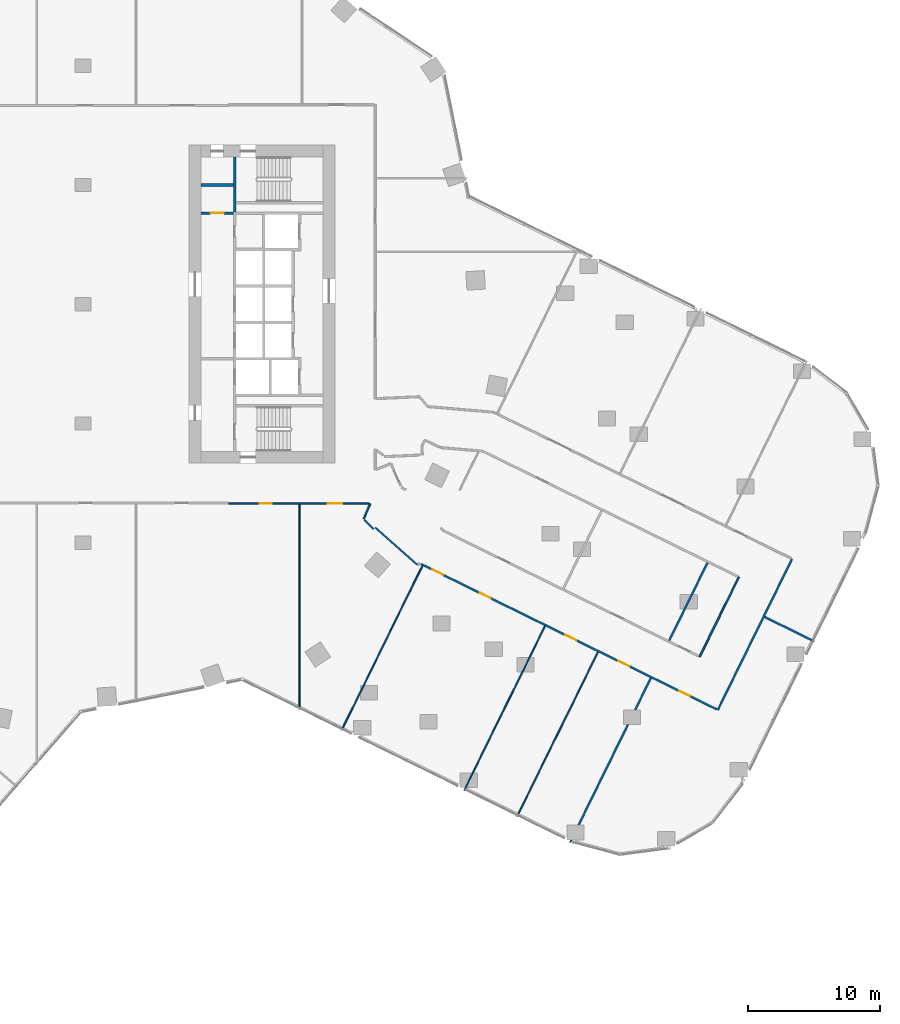
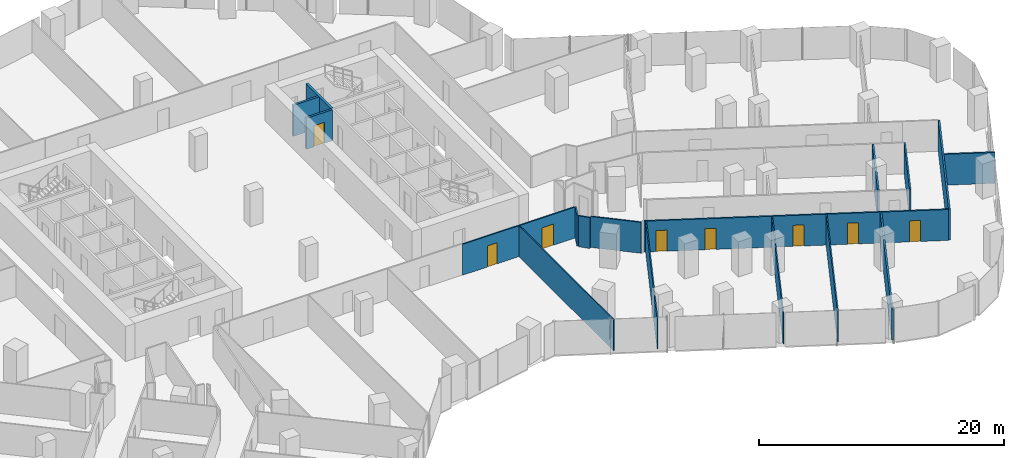
# One storey, part 29 of 38: 17 walls, 8 doors, 8 openings.
"""IFC4 building model written with IfcOpenShell, lengths in metres."""

from ifc_helpers import new_model, si_unit, direction, frame, frame_2d, origin, place, context, subcontext, project, spatial, rectangle, extrude, material, layer, layer_set, type_object, element, fill, save


model = new_model("IFC4")

# Units and contexts
model_context = context("Model", 3, precision=1e-05, world=origin(), true_north=direction((0.0, 1.0)))
body_context = subcontext(model_context, "Body", "Model", "MODEL_VIEW")
ifc_project = project(units=[si_unit("LENGTHUNIT", "METRE"), si_unit("AREAUNIT", "SQUARE_METRE"), si_unit("VOLUMEUNIT", "CUBIC_METRE"), si_unit("PLANEANGLEUNIT", "RADIAN"), si_unit("MASSUNIT", "GRAM", prefix="KILO")], contexts=[model_context])

# Site, building, storey
site_placement = place(None, origin())
site = spatial("IfcSite", under=ifc_project, at=site_placement, CompositionType="ELEMENT")
building_placement = place(site_placement, origin())
building = spatial("IfcBuilding", under=site, at=building_placement, Name="Orlundy Tower", CompositionType="ELEMENT")
storey_placement = place(building_placement, frame((0.0, 0.0, 62.300048828125)))
storey = spatial("IfcBuildingStorey", under=building, at=storey_placement, Name="L14", CompositionType="ELEMENT", Elevation=62.300048828125)

# Walls
ifc_material_1 = material(Name="Gypsum board partition")
ifc_layer_1 = layer(ifc_material_1, 0.10009765625)
ifc_layer_set_1 = layer_set([ifc_layer_1], Name="Floor partition 100")
wall_type_1 = type_object("IfcWallType", Name="Floor partition 100", PredefinedType="PARTITIONING", material=ifc_layer_set_1)
for number, where, z_axis, x_axis, name in (
    (1, (32.760009765625, -38.657958984375, 0.0), (0.0, 0.0, 1.0), (0.440979010965, 0.897517415925, 0.0), "wall-int-L14-070"),
    (2, (28.76611328125, -36.695068359375, 0.0), (0.0, 0.0, 1.0), (0.440979010965, 0.897517415925, 0.0), "wall-int-L14-071"),
):
    element("IfcWall", number, at=place(storey_placement, frame(where, z_axis=z_axis, x_axis=x_axis)), inside=storey, type_object=wall_type_1, Name=name, PredefinedType="PARTITIONING", context=body_context, shape_type="SweptSolid", body=[
        extrude(rectangle(XDim=13.82373046875, YDim=0.10009765625, at=frame_2d((6.911865234375, 0.0))), origin(), (0.0, 0.0, 1.0), 3.079833984375),
    ])
wall_1_placement = place(storey_placement, frame((19.51611328125, -32.15087890625, 0.0), z_axis=(0.0, 0.0, 1.0), x_axis=(0.44089414512, 0.897559108248, 0.0)))
element("IfcWall", 3, at=wall_1_placement, inside=storey, type_object=wall_type_1, Name="wall-int-L14-074", PredefinedType="PARTITIONING", context=body_context, shape_type="SweptSolid", body=[
    extrude(rectangle(XDim=13.82421875, YDim=0.10009765625, at=frame_2d((6.912109375, 0.0))), origin(), (0.0, 0.0, 1.0), 3.079833984375),
])
wall_2_placement = place(storey_placement, frame((16.3310546875, -30.5859375, 0.0), z_axis=(0.0, 0.0, 1.0), x_axis=(0.0, 1.0, 0.0)))
element("IfcWall", 4, at=wall_2_placement, inside=storey, type_object=wall_type_1, Name="wall-int-L14-089", PredefinedType="PARTITIONING", context=body_context, shape_type="SweptSolid", body=[
    extrude(rectangle(XDim=15.471923828125, YDim=0.10009765625, at=frame_2d((7.73583984375, 0.0))), origin(), (0.0, 0.0, 1.0), 3.079833984375),
])
ifc_material_2 = material(Name="Gypsum board partition, double layer")
ifc_layer_2 = layer(ifc_material_2, 0.125)
ifc_layer_set_2 = layer_set([ifc_layer_2], Name="Floor partition 125")
wall_type_2 = type_object("IfcWallType", Name="Floor partition 125", PredefinedType="PARTITIONING", material=ifc_layer_set_2)
wall_3_placement = place(storey_placement, frame((21.243896484375, -16.282958984375, 0.0), z_axis=(0.0, 0.0, 1.0), x_axis=(0.697348059019, -0.716732645121, 0.0)))
element("IfcWall", 5, at=wall_3_placement, inside=storey, type_object=wall_type_2, Name="wall-int-L14-006", PredefinedType="PARTITIONING", context=body_context, shape_type="SweptSolid", body=[
    extrude(rectangle(XDim=0.982421875, YDim=0.125, at=frame_2d((0.4912109375, 0.0))), origin(), (0.0, 0.0, 1.0), 3.079833984375),
])
wall_4_placement = place(storey_placement, frame((22.048095703125, -16.85400390625, 0.0), z_axis=(0.0, 0.0, 1.0), x_axis=(0.748412780797, -0.663233224092, 0.0)))
element("IfcWall", 6, at=wall_4_placement, inside=storey, type_object=wall_type_2, Name="wall-int-L14-007", PredefinedType="PARTITIONING", context=body_context, shape_type="SweptSolid", body=[
    extrude(rectangle(XDim=4.224853515625, YDim=0.125, at=frame_2d((2.1123046875, 0.0))), origin(), (0.0, 0.0, 1.0), 3.079833984375),
])

# Wall, openings, doors
wall_5_placement = place(storey_placement, frame((21.575927734375, -15.051025390625, 0.0), z_axis=(0.0, 0.0, 1.0), x_axis=(-1.0, 0.0, 0.0)))
wall_5 = element("IfcWall", 7, at=wall_5_placement, inside=storey, type_object=wall_type_2, Name="wall-int-L14-043", PredefinedType="PARTITIONING", context=body_context, shape_type="SweptSolid", body=[
    extrude(rectangle(XDim=10.5849609375, YDim=0.125, at=frame_2d((5.29248046875, 0.0))), origin(), (0.0, 0.0, 1.0), 3.079833984375),
])
opening_1_placement = place(wall_5_placement, frame((7.3447265625, 0.0, 0.0)))
opening_1 = element("IfcOpeningElement", 8, at=opening_1_placement, cuts=wall_5, Name="Opening 13130", PredefinedType="OPENING", context=body_context, shape_type="SweptSolid", body=[
    extrude(rectangle(XDim=0.89990234375, YDim=2.10009765625, at=frame_2d((0.449951171875, 1.050048828125))), frame((0.0, 0.072509765625, 0.0), z_axis=(0.0, -1.0, 0.0), x_axis=(1.0, 0.0, 0.0)), (0.0, 0.0, 1.0), 0.14501953125),
])
opening_2_placement = place(wall_5_placement, frame((2.005859375, 0.0, 0.0)))
opening_2 = element("IfcOpeningElement", 9, at=opening_2_placement, cuts=wall_5, Name="Opening 13131", PredefinedType="OPENING", context=body_context, shape_type="SweptSolid", body=[
    extrude(rectangle(XDim=1.10009765625, YDim=2.10009765625, at=frame_2d((0.550048828125, 1.050048828125))), frame((0.0, 0.072509765625, 0.0), z_axis=(0.0, -1.0, 0.0), x_axis=(1.0, 0.0, 0.0)), (0.0, 0.0, 1.0), 0.14501953125),
])
ifc_material_3 = material(Name="Timber door leaf", Category="wood")
door_type_1 = type_object("IfcDoorType", Name="Floor door single 900 FD30S", OperationType="NOTDEFINED", PredefinedType="DOOR", material=ifc_material_3)
door_1_placement = place(opening_1_placement, origin())
door_1 = element("IfcDoor", 10, at=door_1_placement, inside=storey, type_object=door_type_1, Name="Door 13130", OperationType="SINGLE_SWING_RIGHT", OverallHeight=2.10009765625, OverallWidth=0.89990234375, PredefinedType="DOOR", context=body_context, shape_type="SweptSolid", body=[
    extrude(rectangle(XDim=0.89990234375, YDim=2.10009765625, at=frame_2d((0.449951171875, 1.050048828125))), frame((0.0, 0.02490234375, 0.0), z_axis=(0.0, -1.0, 0.0), x_axis=(1.0, 0.0, 0.0)), (0.0, 0.0, 1.0), 0.050048828125),
])
fill(opening_1, door_1)
ifc_material_4 = material(Name="Timber door leaf", Category="wood")
door_type_2 = type_object("IfcDoorType", Name="Floor door xwide 1100 FD30S", OperationType="NOTDEFINED", PredefinedType="DOOR", material=ifc_material_4)
door_2_placement = place(opening_2_placement, origin())
door_2 = element("IfcDoor", 11, at=door_2_placement, inside=storey, type_object=door_type_2, Name="Door 13131", OperationType="SINGLE_SWING_LEFT", OverallHeight=2.10009765625, OverallWidth=1.10009765625, PredefinedType="DOOR", context=body_context, shape_type="SweptSolid", body=[
    extrude(rectangle(XDim=1.10009765625, YDim=2.10009765625, at=frame_2d((0.550048828125, 1.050048828125))), frame((0.0, 0.02490234375, 0.0), z_axis=(0.0, -1.0, 0.0), x_axis=(1.0, 0.0, 0.0)), (0.0, 0.0, 1.0), 0.050048828125),
])
fill(opening_2, door_2)

# Walls
wall_6_placement = place(storey_placement, frame((46.5390625, -26.59912109375, 0.0), z_axis=(0.0, 0.0, 1.0), x_axis=(0.441022842823, 0.897495878603, 0.0)))
element("IfcWall", 12, at=wall_6_placement, inside=storey, type_object=wall_type_2, Name="wall-int-L14-066", PredefinedType="PARTITIONING", context=body_context, shape_type="SweptSolid", body=[
    extrude(rectangle(XDim=6.699951171875, YDim=0.125, at=frame_2d((3.35009765625, 0.0))), origin(), (0.0, 0.0, 1.0), 3.079833984375),
])
wall_7_placement = place(storey_placement, frame((21.18505859375, -16.2060546875, 0.0), z_axis=(0.0, 0.0, 1.0), x_axis=(0.388601478259, 0.921405931767, 0.0)))
element("IfcWall", 13, at=wall_7_placement, inside=storey, type_object=wall_type_2, Name="wall-int-L14-079", PredefinedType="PARTITIONING", context=body_context, shape_type="SweptSolid", body=[
    extrude(rectangle(XDim=1.24267578125, YDim=0.125, at=frame_2d((0.621337890625, 0.0))), origin(), (0.0, 0.0, 1.0), 3.079833984375),
])

# Wall, openings, doors
ifc_material_5 = material(Name="Blockwork shaft wall", Category="masonry")
ifc_layer_3 = layer(ifc_material_5, 0.14990234375)
ifc_layer_set_3 = layer_set([ifc_layer_3], Name="Floor shaft wall 150")
wall_type_3 = type_object("IfcWallType", Name="Floor shaft wall 150", PredefinedType="PARTITIONING", material=ifc_layer_set_3)
wall_8_placement = place(storey_placement, frame((47.840087890625, -30.5830078125, 0.0), z_axis=(0.0, 0.0, 1.0), x_axis=(-0.897499432015, 0.441015611439, 0.0)))
wall_8 = element("IfcWall", 14, at=wall_8_placement, inside=storey, type_object=wall_type_3, Name="wall-int-L14-024", PredefinedType="PARTITIONING", context=body_context, shape_type="SweptSolid", body=[
    extrude(rectangle(XDim=24.890380859375, YDim=0.14990234375, at=frame_2d((12.4453125, 0.0))), origin(), (0.0, 0.0, 1.0), 3.079833984375),
])
opening_3_placement = place(wall_8_placement, frame((2.2744140625, 0.0, 0.0)))
opening_3 = element("IfcOpeningElement", 15, at=opening_3_placement, cuts=wall_8, Name="Opening 13107", PredefinedType="OPENING", context=body_context, shape_type="SweptSolid", body=[
    extrude(rectangle(XDim=0.89990234375, YDim=2.10009765625, at=frame_2d((0.449951171875, 1.050048828125))), frame((0.0, 0.0849609375, 0.0), z_axis=(0.0, -1.0, 0.0), x_axis=(1.0, 0.0, 0.0)), (0.0, 0.0, 1.0), 0.169921875),
])
opening_4_placement = place(wall_8_placement, frame((23.024169921875, 0.0, 0.0)))
opening_4 = element("IfcOpeningElement", 16, at=opening_4_placement, cuts=wall_8, Name="Opening 13108", PredefinedType="OPENING", context=body_context, shape_type="SweptSolid", body=[
    extrude(rectangle(XDim=0.89990234375, YDim=2.10009765625, at=frame_2d((0.449951171875, 1.050048828125))), frame((0.0, 0.0849609375, 0.0), z_axis=(0.0, -1.0, 0.0), x_axis=(1.0, 0.0, 0.0)), (0.0, 0.0, 1.0), 0.169921875),
])
opening_5_placement = place(wall_8_placement, frame((19.024169921875, 0.0, 0.0)))
opening_5 = element("IfcOpeningElement", 17, at=opening_5_placement, cuts=wall_8, Name="Opening 13109", PredefinedType="OPENING", context=body_context, shape_type="SweptSolid", body=[
    extrude(rectangle(XDim=0.89990234375, YDim=2.10009765625, at=frame_2d((0.449951171875, 1.050048828125))), frame((0.0, 0.0849609375, 0.0), z_axis=(0.0, -1.0, 0.0), x_axis=(1.0, 0.0, 0.0)), (0.0, 0.0, 1.0), 0.169921875),
])
opening_6_placement = place(wall_8_placement, frame((11.823974609375, 0.0, 0.0)))
opening_6 = element("IfcOpeningElement", 18, at=opening_6_placement, cuts=wall_8, Name="Opening 13110", PredefinedType="OPENING", context=body_context, shape_type="SweptSolid", body=[
    extrude(rectangle(XDim=0.89990234375, YDim=2.10009765625, at=frame_2d((0.449951171875, 1.050048828125))), frame((0.0, 0.0849609375, 0.0), z_axis=(0.0, -1.0, 0.0), x_axis=(1.0, 0.0, 0.0)), (0.0, 0.0, 1.0), 0.169921875),
])
opening_7_placement = place(wall_8_placement, frame((7.3740234375, 0.0, 0.0)))
opening_7 = element("IfcOpeningElement", 19, at=opening_7_placement, cuts=wall_8, Name="Opening 13111", PredefinedType="OPENING", context=body_context, shape_type="SweptSolid", body=[
    extrude(rectangle(XDim=0.89990234375, YDim=2.10009765625, at=frame_2d((0.449951171875, 1.050048828125))), frame((0.0, 0.0849609375, 0.0), z_axis=(0.0, -1.0, 0.0), x_axis=(1.0, 0.0, 0.0)), (0.0, 0.0, 1.0), 0.169921875),
])
ifc_material_6 = material(Name="Timber door leaf", Category="wood")
door_type_3 = type_object("IfcDoorType", Name="Floor door single 900 FD60", OperationType="NOTDEFINED", PredefinedType="DOOR", material=ifc_material_6)
door_3_placement = place(opening_3_placement, origin())
door_3 = element("IfcDoor", 20, at=door_3_placement, inside=storey, type_object=door_type_3, Name="Door 13107", OperationType="SINGLE_SWING_LEFT", OverallHeight=2.10009765625, OverallWidth=0.89990234375, PredefinedType="DOOR", context=body_context, shape_type="SweptSolid", body=[
    extrude(rectangle(XDim=0.89990234375, YDim=2.10009765625, at=frame_2d((0.449951171875, 1.050048828125))), frame((0.0, 0.02490234375, 0.0), z_axis=(0.0, -1.0, 0.0), x_axis=(1.0, 0.0, 0.0)), (0.0, 0.0, 1.0), 0.050048828125),
])
fill(opening_3, door_3)
door_4_placement = place(opening_4_placement, origin())
door_4 = element("IfcDoor", 21, at=door_4_placement, inside=storey, type_object=door_type_3, Name="Door 13108", OperationType="SINGLE_SWING_RIGHT", OverallHeight=2.10009765625, OverallWidth=0.89990234375, PredefinedType="DOOR", context=body_context, shape_type="SweptSolid", body=[
    extrude(rectangle(XDim=0.89990234375, YDim=2.10009765625, at=frame_2d((0.449951171875, 1.050048828125))), frame((0.0, 0.02490234375, 0.0), z_axis=(0.0, -1.0, 0.0), x_axis=(1.0, 0.0, 0.0)), (0.0, 0.0, 1.0), 0.050048828125),
])
fill(opening_4, door_4)
door_5_placement = place(opening_5_placement, origin())
door_5 = element("IfcDoor", 22, at=door_5_placement, inside=storey, type_object=door_type_3, Name="Door 13109", OperationType="SINGLE_SWING_RIGHT", OverallHeight=2.10009765625, OverallWidth=0.89990234375, PredefinedType="DOOR", context=body_context, shape_type="SweptSolid", body=[
    extrude(rectangle(XDim=0.89990234375, YDim=2.10009765625, at=frame_2d((0.449951171875, 1.050048828125))), frame((0.0, 0.02490234375, 0.0), z_axis=(0.0, -1.0, 0.0), x_axis=(1.0, 0.0, 0.0)), (0.0, 0.0, 1.0), 0.050048828125),
])
fill(opening_5, door_5)
door_6_placement = place(opening_6_placement, origin())
door_6 = element("IfcDoor", 23, at=door_6_placement, inside=storey, type_object=door_type_3, Name="Door 13110", OperationType="SINGLE_SWING_LEFT", OverallHeight=2.10009765625, OverallWidth=0.89990234375, PredefinedType="DOOR", context=body_context, shape_type="SweptSolid", body=[
    extrude(rectangle(XDim=0.89990234375, YDim=2.10009765625, at=frame_2d((0.449951171875, 1.050048828125))), frame((0.0, 0.02490234375, 0.0), z_axis=(0.0, -1.0, 0.0), x_axis=(1.0, 0.0, 0.0)), (0.0, 0.0, 1.0), 0.050048828125),
])
fill(opening_6, door_6)
door_7_placement = place(opening_7_placement, origin())
door_7 = element("IfcDoor", 24, at=door_7_placement, inside=storey, type_object=door_type_3, Name="Door 13111", OperationType="SINGLE_SWING_LEFT", OverallHeight=2.10009765625, OverallWidth=0.89990234375, PredefinedType="DOOR", context=body_context, shape_type="SweptSolid", body=[
    extrude(rectangle(XDim=0.89990234375, YDim=2.10009765625, at=frame_2d((0.449951171875, 1.050048828125))), frame((0.0, 0.02490234375, 0.0), z_axis=(0.0, -1.0, 0.0), x_axis=(1.0, 0.0, 0.0)), (0.0, 0.0, 1.0), 0.050048828125),
])
fill(opening_7, door_7)

# Walls
wall_9_placement = place(storey_placement, frame((51.43798828125, -23.60302734375, 0.0), z_axis=(0.0, 0.0, 1.0), x_axis=(0.897516565628, -0.440980741556, 0.0)))
element("IfcWall", 25, at=wall_9_placement, inside=storey, type_object=wall_type_3, Name="wall-int-L14-026", PredefinedType="PARTITIONING", context=body_context, shape_type="SweptSolid", body=[
    extrude(rectangle(XDim=4.175048828125, YDim=0.14990234375, at=frame_2d((2.08740234375, 0.0))), origin(), (0.0, 0.0, 1.0), 3.079833984375),
])
wall_10_placement = place(storey_placement, frame((47.909912109375, -30.614990234375, 0.0), z_axis=(0.0, 0.0, 1.0), x_axis=(0.441070796209, 0.897472313072, 0.0)))
element("IfcWall", 26, at=wall_10_placement, inside=storey, type_object=wall_type_3, Name="wall-int-L14-065", PredefinedType="PARTITIONING", context=body_context, shape_type="SweptSolid", body=[
    extrude(rectangle(XDim=12.692138671875, YDim=0.14990234375, at=frame_2d((6.34619140625, 0.0))), origin(), (0.0, 0.0, 1.0), 3.079833984375),
])
wall_11_placement = place(storey_placement, frame((36.75390625, -40.6201171875, 0.0), z_axis=(0.0, 0.0, 1.0), x_axis=(0.44098624742, 0.897513860387, 0.0)))
element("IfcWall", 27, at=wall_11_placement, inside=storey, type_object=wall_type_3, Name="wall-int-L14-067", PredefinedType="PARTITIONING", context=body_context, shape_type="SweptSolid", body=[
    extrude(rectangle(XDim=13.823974609375, YDim=0.14990234375, at=frame_2d((6.912109375, 0.0))), origin(), (0.0, 0.0, 1.0), 3.079833984375),
])
wall_12_placement = place(storey_placement, frame((44.239013671875, -25.385986328125, 0.0), z_axis=(0.0, 0.0, 1.0), x_axis=(0.44103082672, 0.89749195533, 0.0)))
element("IfcWall", 28, at=wall_12_placement, inside=storey, type_object=wall_type_3, Name="wall-int-L14-068", PredefinedType="PARTITIONING", context=body_context, shape_type="SweptSolid", body=[
    extrude(rectangle(XDim=6.55029296875, YDim=0.14990234375, at=frame_2d((3.275146484375, 0.0))), origin(), (0.0, 0.0, 1.0), 3.079833984375),
])
ifc_material_7 = material(Name="Concrete C40/50", Category="concrete")
ifc_layer_4 = layer(ifc_material_7, 0.199951171875)
ifc_layer_set_4 = layer_set([ifc_layer_4], Name="Load-bearing Shaft Wall 200")
wall_type_4 = type_object("IfcWallType", Name="Load-bearing Shaft Wall 200", PredefinedType="SOLIDWALL", material=ifc_layer_set_4)
wall_13_placement = place(storey_placement, frame((11.43994140625, 11.10009765625, 0.0), z_axis=(0.0, 0.0, 1.0), x_axis=(0.0, -1.0, 0.0)))
element("IfcWall", 29, at=wall_13_placement, inside=storey, type_object=wall_type_4, Name="Shaft wall E13-stair-end-s", PredefinedType="SOLIDWALL", context=body_context, shape_type="SweptSolid", body=[
    extrude(rectangle(XDim=4.125, YDim=0.199951171875, at=frame_2d((2.0625, 0.0))), origin(), (0.0, 0.0, 1.0), 3.08984375),
])

# Wall, opening, door
ifc_material_8 = material(Name="Gypsum board partition on steel studs", Category="steel")
ifc_layer_5 = layer(ifc_material_8, 0.199951171875)
ifc_layer_set_5 = layer_set([ifc_layer_5], Name="Partition 200")
wall_type_5 = type_object("IfcWallType", Name="Partition 200", PredefinedType="PARTITIONING", material=ifc_layer_set_5)
wall_14_placement = place(storey_placement, frame((8.89990234375, 6.875, 0.0), z_axis=(0.0, 0.0, 1.0), x_axis=(1.0, 0.0, 0.0)))
wall_14 = element("IfcWall", 30, at=wall_14_placement, inside=storey, type_object=wall_type_5, Name="Partition wall E13-end-s", PredefinedType="PARTITIONING", context=body_context, shape_type="SweptSolid", body=[
    extrude(rectangle(XDim=2.440185546875, YDim=0.199951171875, at=frame_2d((1.22021484375, 0.0))), origin(), (0.0, 0.0, 1.0), 3.08984375),
])
opening_8_placement = place(wall_14_placement, frame((0.719970703125, 0.0, 0.0)))
opening_8 = element("IfcOpeningElement", 31, at=opening_8_placement, cuts=wall_14, Name="Opening 13065", PredefinedType="OPENING", context=body_context, shape_type="SweptSolid", body=[
    extrude(rectangle(XDim=1.0, YDim=2.10009765625, at=frame_2d((0.5, 1.050048828125))), frame((0.0, 0.110107421875, 0.0), z_axis=(0.0, -1.0, 0.0), x_axis=(1.0, 0.0, 0.0)), (0.0, 0.0, 1.0), 0.22021484375),
])
ifc_material_9 = material(Name="Timber door set", Category="wood")
door_type_4 = type_object("IfcDoorType", Name="Accessible Door 1000x2100", OperationType="SINGLE_SWING_LEFT", PredefinedType="DOOR", material=ifc_material_9)
door_8_placement = place(opening_8_placement, origin())
door_8 = element("IfcDoor", 32, at=door_8_placement, inside=storey, type_object=door_type_4, Name="Accessible WC door 13065", OperationType="SINGLE_SWING_RIGHT", OverallHeight=2.10009765625, OverallWidth=1.0, PredefinedType="DOOR", context=body_context, shape_type="SweptSolid", body=[
    extrude(rectangle(XDim=1.0, YDim=2.10009765625, at=frame_2d((0.5, 1.050048828125))), frame((0.0, 0.02490234375, 0.0), z_axis=(0.0, -1.0, 0.0), x_axis=(1.0, 0.0, 0.0)), (0.0, 0.0, 1.0), 0.050048828125),
])
fill(opening_8, door_8)

# Wall
wall_15_placement = place(storey_placement, frame((8.89990234375, 9.0, 0.0), z_axis=(0.0, 0.0, 1.0), x_axis=(1.0, 0.0, 0.0)))
element("IfcWall", 33, at=wall_15_placement, inside=storey, type_object=wall_type_5, Name="Partition wall E13-room-s0", PredefinedType="PARTITIONING", context=body_context, shape_type="SweptSolid", body=[
    extrude(rectangle(XDim=2.440185546875, YDim=0.199951171875, at=frame_2d((1.22021484375, 0.0))), origin(), (0.0, 0.0, 1.0), 3.08984375),
])

save(model, "model.ifc")
